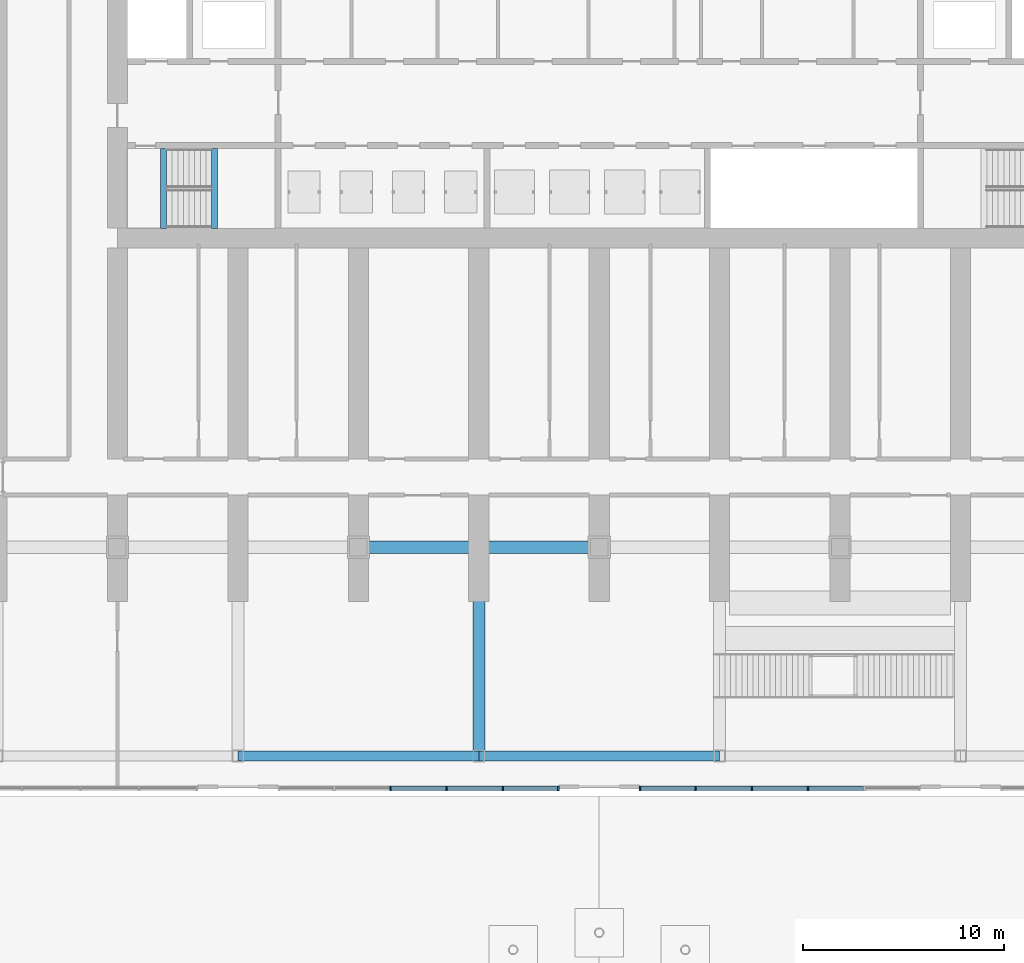
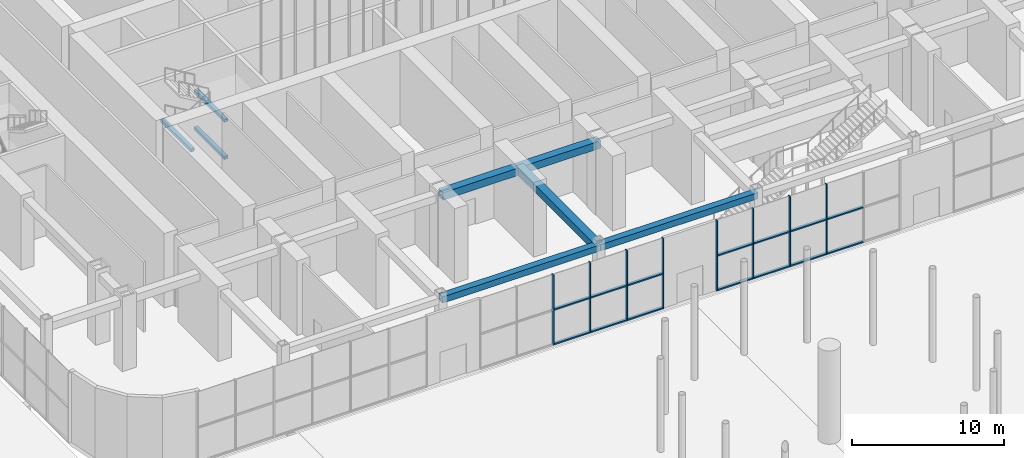
# One storey, part 8 of 57: 22 members, 7 beams, 2 elements without a shape of their own.
"""IFC4 building model written with IfcOpenShell, lengths in metres."""

from ifc_helpers import new_model, si_unit, direction, frame, origin, origin_2d, place, context, subcontext, project, spatial, rectangle, hollow_rectangle, extrude, material, material_profile, profile_set, type_object, element, aggregate, save


model = new_model("IFC4")

# Units and contexts
model_context = context("Model", 3, precision=1e-05, world=origin(), true_north=direction((0.0, 1.0)))
body_context = subcontext(model_context, "Body", "Model", "MODEL_VIEW")
ifc_project = project(units=[si_unit("LENGTHUNIT", "METRE"), si_unit("AREAUNIT", "SQUARE_METRE"), si_unit("VOLUMEUNIT", "CUBIC_METRE"), si_unit("PLANEANGLEUNIT", "RADIAN"), si_unit("MASSUNIT", "GRAM", prefix="KILO")], contexts=[model_context])

# Site, building, storey
site_placement = place(None, origin())
site = spatial("IfcSite", under=ifc_project, at=site_placement, CompositionType="ELEMENT")
building_placement = place(site_placement, origin())
building = spatial("IfcBuilding", under=site, at=building_placement, Name="Orbita Commons", CompositionType="ELEMENT")
storey_placement = place(building_placement, origin())
storey = spatial("IfcBuildingStorey", under=building, at=storey_placement, Name="L00", CompositionType="ELEMENT", Elevation=0.0)

# Curtain wall, members
ifc_material_1 = material(Name="Anodised aluminium frame, pale silver", Category="aluminium")
curtain_wall_type = type_object("IfcCurtainWallType", Name="Lobby curtain wall CW-L", PredefinedType="NOTDEFINED", material=ifc_material_1)
curtain_wall_1_placement = place(storey_placement, origin())
curtain_wall_1 = element("IfcCurtainWall", 1, at=curtain_wall_1_placement, inside=storey, type_object=curtain_wall_type, Name="Curtain wall S 2 L00", PredefinedType="NOTDEFINED")
ifc_material_2 = material(Name="Anodised aluminium, pale silver", Category="aluminium")
ifc_material_profile_1 = material_profile(ifc_material_2, rectangle(XDim=0.080078125, YDim=0.219970703125, at=origin_2d()), Name="AL 80x220")
ifc_profile_set_1 = profile_set([ifc_material_profile_1], Name="Anodised aluminium, pale silver")
member_type_1 = type_object("IfcMemberType", Name="Curtain wall mullion 80x220", PredefinedType="MULLION", material=ifc_profile_set_1)
member_1_placement = place(storey_placement, frame((31.60009765625, -1.610107421875, 0.0), z_axis=(0.0, 0.0, 1.0), x_axis=(1.0, 0.0, 0.0)))
member_1 = element("IfcMember", 2, at=member_1_placement, type_object=member_type_1, Name="Mullion 3 CW-L00-S1", PredefinedType="MULLION", context=body_context, shape_type="SweptSolid", body=[
    extrude(rectangle(XDim=0.080078125, YDim=0.219970703125, at=origin_2d()), origin(), (0.0, 0.0, 1.0), 5.64990234375),
])
member_2_placement = place(storey_placement, frame((34.39990234375, -1.610107421875, 0.0), z_axis=(0.0, 0.0, 1.0), x_axis=(1.0, 0.0, 0.0)))
member_2 = element("IfcMember", 3, at=member_2_placement, type_object=member_type_1, Name="Mullion 4 CW-L00-S1", PredefinedType="MULLION", context=body_context, shape_type="SweptSolid", body=[
    extrude(rectangle(XDim=0.080078125, YDim=0.219970703125, at=origin_2d()), origin(), (0.0, 0.0, 1.0), 5.64990234375),
])
member_3_placement = place(storey_placement, frame((37.199951171875, -1.610107421875, 0.0), z_axis=(0.0, 0.0, 1.0), x_axis=(1.0, 0.0, 0.0)))
member_3 = element("IfcMember", 4, at=member_3_placement, type_object=member_type_1, Name="Mullion 5 CW-L00-S1", PredefinedType="MULLION", context=body_context, shape_type="SweptSolid", body=[
    extrude(rectangle(XDim=0.080078125, YDim=0.219970703125, at=origin_2d()), origin(), (0.0, 0.0, 1.0), 5.64990234375),
])
member_4_placement = place(storey_placement, frame((39.9599609375, -1.610107421875, 0.0), z_axis=(0.0, 0.0, 1.0), x_axis=(1.0, 0.0, 0.0)))
member_4 = element("IfcMember", 5, at=member_4_placement, type_object=member_type_1, Name="Mullion 6 CW-L00-S1", PredefinedType="MULLION", context=body_context, shape_type="SweptSolid", body=[
    extrude(rectangle(XDim=0.080078125, YDim=0.219970703125, at=origin_2d()), origin(), (0.0, 0.0, 1.0), 5.64990234375),
])

curtain_wall_2_placement = place(storey_placement, origin())
curtain_wall_2 = element("IfcCurtainWall", 6, at=curtain_wall_2_placement, inside=storey, type_object=curtain_wall_type, Name="Curtain wall S 3 L00", PredefinedType="NOTDEFINED")
member_5_placement = place(storey_placement, frame((44.0400390625, -1.610107421875, 0.0), z_axis=(0.0, 0.0, 1.0), x_axis=(1.0, 0.0, 0.0)))
member_5 = element("IfcMember", 7, at=member_5_placement, type_object=member_type_1, Name="Mullion 1 CW-L00-S2", PredefinedType="MULLION", context=body_context, shape_type="SweptSolid", body=[
    extrude(rectangle(XDim=0.080078125, YDim=0.219970703125, at=origin_2d()), origin(), (0.0, 0.0, 1.0), 5.64990234375),
])
member_6_placement = place(storey_placement, frame((46.800048828125, -1.610107421875, 0.0), z_axis=(0.0, 0.0, 1.0), x_axis=(1.0, 0.0, 0.0)))
member_6 = element("IfcMember", 8, at=member_6_placement, type_object=member_type_1, Name="Mullion 2 CW-L00-S2", PredefinedType="MULLION", context=body_context, shape_type="SweptSolid", body=[
    extrude(rectangle(XDim=0.080078125, YDim=0.219970703125, at=origin_2d()), origin(), (0.0, 0.0, 1.0), 5.64990234375),
])
member_7_placement = place(storey_placement, frame((49.60009765625, -1.610107421875, 0.0), z_axis=(0.0, 0.0, 1.0), x_axis=(1.0, 0.0, 0.0)))
member_7 = element("IfcMember", 9, at=member_7_placement, type_object=member_type_1, Name="Mullion 3 CW-L00-S2", PredefinedType="MULLION", context=body_context, shape_type="SweptSolid", body=[
    extrude(rectangle(XDim=0.080078125, YDim=0.219970703125, at=origin_2d()), origin(), (0.0, 0.0, 1.0), 5.64990234375),
])
member_8_placement = place(storey_placement, frame((52.39990234375, -1.610107421875, 0.0), z_axis=(0.0, 0.0, 1.0), x_axis=(1.0, 0.0, 0.0)))
member_8 = element("IfcMember", 10, at=member_8_placement, type_object=member_type_1, Name="Mullion 4 CW-L00-S2", PredefinedType="MULLION", context=body_context, shape_type="SweptSolid", body=[
    extrude(rectangle(XDim=0.080078125, YDim=0.219970703125, at=origin_2d()), origin(), (0.0, 0.0, 1.0), 5.64990234375),
])

# Member
ifc_material_3 = material(Name="Anodised aluminium, pale silver", Category="aluminium")
ifc_material_profile_2 = material_profile(ifc_material_3, rectangle(XDim=0.219970703125, YDim=0.10009765625, at=origin_2d()), Name="AL 220x100")
ifc_profile_set_2 = profile_set([ifc_material_profile_2], Name="Anodised aluminium, pale silver")
member_type_2 = type_object("IfcMemberType", Name="Curtain wall stack transom 220x100", PredefinedType="USERDEFINED", material=ifc_profile_set_2)
member_9_placement = place(storey_placement, frame((31.639892578125, -1.610107421875, 0.050048828125), z_axis=(1.0, 0.0, 0.0), x_axis=(0.0, 1.0, 0.0)))
member_9 = element("IfcMember", 11, at=member_9_placement, type_object=member_type_2, Name="Transom 3.1 CW-L00-S1", ObjectType="TRANSOM", PredefinedType="USERDEFINED", context=body_context, shape_type="SweptSolid", body=[
    extrude(rectangle(XDim=0.219970703125, YDim=0.10009765625, at=origin_2d()), origin(), (0.0, 0.0, 1.0), 2.72021484375),
])

member_10_placement = place(storey_placement, frame((31.639892578125, -1.610107421875, 2.824951171875), z_axis=(1.0, 0.0, 0.0), x_axis=(0.0, 1.0, 0.0)))
member_10 = element("IfcMember", 12, at=member_10_placement, type_object=member_type_2, Name="Transom 3.2 CW-L00-S1", ObjectType="TRANSOM", PredefinedType="USERDEFINED", context=body_context, shape_type="SweptSolid", body=[
    extrude(rectangle(XDim=0.219970703125, YDim=0.10009765625, at=origin_2d()), origin(), (0.0, 0.0, 1.0), 2.72021484375),
])

member_11_placement = place(storey_placement, frame((34.43994140625, -1.610107421875, 0.050048828125), z_axis=(1.0, 0.0, 0.0), x_axis=(0.0, 1.0, 0.0)))
member_11 = element("IfcMember", 13, at=member_11_placement, type_object=member_type_2, Name="Transom 4.1 CW-L00-S1", ObjectType="TRANSOM", PredefinedType="USERDEFINED", context=body_context, shape_type="SweptSolid", body=[
    extrude(rectangle(XDim=0.219970703125, YDim=0.10009765625, at=origin_2d()), origin(), (0.0, 0.0, 1.0), 2.719970703125),
])

member_12_placement = place(storey_placement, frame((34.43994140625, -1.610107421875, 2.824951171875), z_axis=(1.0, 0.0, 0.0), x_axis=(0.0, 1.0, 0.0)))
member_12 = element("IfcMember", 14, at=member_12_placement, type_object=member_type_2, Name="Transom 4.2 CW-L00-S1", ObjectType="TRANSOM", PredefinedType="USERDEFINED", context=body_context, shape_type="SweptSolid", body=[
    extrude(rectangle(XDim=0.219970703125, YDim=0.10009765625, at=origin_2d()), origin(), (0.0, 0.0, 1.0), 2.719970703125),
])

member_13_placement = place(storey_placement, frame((37.239990234375, -1.610107421875, 0.050048828125), z_axis=(1.0, 0.0, 0.0), x_axis=(0.0, 1.0, 0.0)))
member_13 = element("IfcMember", 15, at=member_13_placement, type_object=member_type_2, Name="Transom 5.1 CW-L00-S1", ObjectType="TRANSOM", PredefinedType="USERDEFINED", context=body_context, shape_type="SweptSolid", body=[
    extrude(rectangle(XDim=0.219970703125, YDim=0.10009765625, at=origin_2d()), origin(), (0.0, 0.0, 1.0), 2.679931640625),
])

member_14_placement = place(storey_placement, frame((37.239990234375, -1.610107421875, 2.824951171875), z_axis=(1.0, 0.0, 0.0), x_axis=(0.0, 1.0, 0.0)))
member_14 = element("IfcMember", 16, at=member_14_placement, type_object=member_type_2, Name="Transom 5.2 CW-L00-S1", ObjectType="TRANSOM", PredefinedType="USERDEFINED", context=body_context, shape_type="SweptSolid", body=[
    extrude(rectangle(XDim=0.219970703125, YDim=0.10009765625, at=origin_2d()), origin(), (0.0, 0.0, 1.0), 2.679931640625),
])

aggregate(curtain_wall_1, [member_1, member_2, member_3, member_4, member_9, member_10, member_11, member_12, member_13, member_14])

member_15_placement = place(storey_placement, frame((44.080078125, -1.610107421875, 0.050048828125), z_axis=(1.0, 0.0, 0.0), x_axis=(0.0, 1.0, 0.0)))
member_15 = element("IfcMember", 17, at=member_15_placement, type_object=member_type_2, Name="Transom 1.1 CW-L00-S2", ObjectType="TRANSOM", PredefinedType="USERDEFINED", context=body_context, shape_type="SweptSolid", body=[
    extrude(rectangle(XDim=0.219970703125, YDim=0.10009765625, at=origin_2d()), origin(), (0.0, 0.0, 1.0), 2.679931640625),
])

member_16_placement = place(storey_placement, frame((44.080078125, -1.610107421875, 2.824951171875), z_axis=(1.0, 0.0, 0.0), x_axis=(0.0, 1.0, 0.0)))
member_16 = element("IfcMember", 18, at=member_16_placement, type_object=member_type_2, Name="Transom 1.2 CW-L00-S2", ObjectType="TRANSOM", PredefinedType="USERDEFINED", context=body_context, shape_type="SweptSolid", body=[
    extrude(rectangle(XDim=0.219970703125, YDim=0.10009765625, at=origin_2d()), origin(), (0.0, 0.0, 1.0), 2.679931640625),
])

member_17_placement = place(storey_placement, frame((46.840087890625, -1.610107421875, 0.050048828125), z_axis=(1.0, 0.0, 0.0), x_axis=(0.0, 1.0, 0.0)))
member_17 = element("IfcMember", 19, at=member_17_placement, type_object=member_type_2, Name="Transom 2.1 CW-L00-S2", ObjectType="TRANSOM", PredefinedType="USERDEFINED", context=body_context, shape_type="SweptSolid", body=[
    extrude(rectangle(XDim=0.219970703125, YDim=0.10009765625, at=origin_2d()), origin(), (0.0, 0.0, 1.0), 2.719970703125),
])

member_18_placement = place(storey_placement, frame((46.840087890625, -1.610107421875, 2.824951171875), z_axis=(1.0, 0.0, 0.0), x_axis=(0.0, 1.0, 0.0)))
member_18 = element("IfcMember", 20, at=member_18_placement, type_object=member_type_2, Name="Transom 2.2 CW-L00-S2", ObjectType="TRANSOM", PredefinedType="USERDEFINED", context=body_context, shape_type="SweptSolid", body=[
    extrude(rectangle(XDim=0.219970703125, YDim=0.10009765625, at=origin_2d()), origin(), (0.0, 0.0, 1.0), 2.719970703125),
])

member_19_placement = place(storey_placement, frame((49.639892578125, -1.610107421875, 0.050048828125), z_axis=(1.0, 0.0, 0.0), x_axis=(0.0, 1.0, 0.0)))
member_19 = element("IfcMember", 21, at=member_19_placement, type_object=member_type_2, Name="Transom 3.1 CW-L00-S2", ObjectType="TRANSOM", PredefinedType="USERDEFINED", context=body_context, shape_type="SweptSolid", body=[
    extrude(rectangle(XDim=0.219970703125, YDim=0.10009765625, at=origin_2d()), origin(), (0.0, 0.0, 1.0), 2.72021484375),
])

member_20_placement = place(storey_placement, frame((49.639892578125, -1.610107421875, 2.824951171875), z_axis=(1.0, 0.0, 0.0), x_axis=(0.0, 1.0, 0.0)))
member_20 = element("IfcMember", 22, at=member_20_placement, type_object=member_type_2, Name="Transom 3.2 CW-L00-S2", ObjectType="TRANSOM", PredefinedType="USERDEFINED", context=body_context, shape_type="SweptSolid", body=[
    extrude(rectangle(XDim=0.219970703125, YDim=0.10009765625, at=origin_2d()), origin(), (0.0, 0.0, 1.0), 2.72021484375),
])

member_21_placement = place(storey_placement, frame((52.43994140625, -1.610107421875, 0.050048828125), z_axis=(1.0, 0.0, 0.0), x_axis=(0.0, 1.0, 0.0)))
member_21 = element("IfcMember", 23, at=member_21_placement, type_object=member_type_2, Name="Transom 4.1 CW-L00-S2", ObjectType="TRANSOM", PredefinedType="USERDEFINED", context=body_context, shape_type="SweptSolid", body=[
    extrude(rectangle(XDim=0.219970703125, YDim=0.10009765625, at=origin_2d()), origin(), (0.0, 0.0, 1.0), 2.719970703125),
])

member_22_placement = place(storey_placement, frame((52.43994140625, -1.610107421875, 2.824951171875), z_axis=(1.0, 0.0, 0.0), x_axis=(0.0, 1.0, 0.0)))
member_22 = element("IfcMember", 24, at=member_22_placement, type_object=member_type_2, Name="Transom 4.2 CW-L00-S2", ObjectType="TRANSOM", PredefinedType="USERDEFINED", context=body_context, shape_type="SweptSolid", body=[
    extrude(rectangle(XDim=0.219970703125, YDim=0.10009765625, at=origin_2d()), origin(), (0.0, 0.0, 1.0), 2.719970703125),
])

aggregate(curtain_wall_2, [member_5, member_6, member_7, member_8, member_15, member_16, member_17, member_18, member_19, member_20, member_21, member_22])

# Beams
ifc_material_4 = material(Name="Steel ASTM A572 Gr 50 welded plate", Category="steel")
ifc_material_profile_3 = material_profile(ifc_material_4, hollow_rectangle(XDim=0.300048828125, YDim=0.25, WallThickness=0.02490234375, at=origin_2d()), Name="BOX 250x300x25")
ifc_profile_set_3 = profile_set([ifc_material_profile_3], Name="Steel ASTM A572 Gr 50 welded plate")
beam_type_1 = type_object("IfcBeamType", Name="Stair landing beam steel BOX 250x300x25", PredefinedType="BEAM", material=ifc_profile_set_3)
for number, where, z_axis, x_axis, name in (
    (25, (22.840087890625, 26.284912109375, 1.175048828125), (0.0, 1.0, 0.0), (-1.0, 0.0, 0.0), "Stair S1 landing beam L00 1"),
    (26, (20.300048828125, 26.284912109375, 2.675048828125), (0.0, 1.0, 0.0), (-1.0, 0.0, 0.0), "Stair S1 landing beam L00 2"),
    (27, (22.840087890625, 26.284912109375, 4.175048828125), (0.0, 1.0, 0.0), (-1.0, 0.0, 0.0), "Stair S1 landing beam L00 3"),
):
    element("IfcBeam", number, at=place(storey_placement, frame(where, z_axis=z_axis, x_axis=x_axis)), inside=storey, type_object=beam_type_1, Name=name, PredefinedType="BEAM", context=body_context, shape_type="SweptSolid", body=[
        extrude(hollow_rectangle(XDim=0.300048828125, YDim=0.25, WallThickness=0.02490234375, at=origin_2d()), origin(), (0.0, 0.0, 1.0), 3.97998046875),
    ])
ifc_material_5 = material(Name="Steel ASTM A572 Gr 50 welded plate", Category="steel")
ifc_material_profile_4 = material_profile(ifc_material_5, hollow_rectangle(XDim=0.5, YDim=0.5, WallThickness=0.050048828125, at=origin_2d()), Name="BOX 500x500x50")
ifc_profile_set_4 = profile_set([ifc_material_profile_4], Name="Steel ASTM A572 Gr 50 welded plate")
beam_type_2 = type_object("IfcBeamType", Name="Steel edge beam BOX 500x500x50", PredefinedType="SPANDREL", material=ifc_profile_set_4)
for number, where, z_axis, x_axis, name in (
    (28, (24.0, 0.0, 5.39990234375), (1.0, 0.0, 0.0), (0.0, 1.0, 0.0), "Edge beam A 5-7 L00"),
    (29, (36.0, 0.0, 5.39990234375), (1.0, 0.0, 0.0), (0.0, 1.0, 0.0), "Edge beam A 7-9 L00"),
):
    element("IfcBeam", number, at=place(storey_placement, frame(where, z_axis=z_axis, x_axis=x_axis)), inside=storey, type_object=beam_type_2, Name=name, PredefinedType="SPANDREL", context=body_context, shape_type="SweptSolid", body=[
        extrude(hollow_rectangle(XDim=0.5, YDim=0.5, WallThickness=0.050048828125, at=origin_2d()), origin(), (0.0, 0.0, 1.0), 12.0),
    ])
ifc_material_6 = material(Name="Steel ASTM A572 Gr 50 welded plate", Category="steel")
ifc_material_profile_5 = material_profile(ifc_material_6, hollow_rectangle(XDim=0.60009765625, YDim=0.60009765625, WallThickness=0.06005859375, at=origin_2d()), Name="BOX 600x600x60")
ifc_profile_set_5 = profile_set([ifc_material_profile_5], Name="Steel ASTM A572 Gr 50 welded plate")
beam_type_3 = type_object("IfcBeamType", Name="Steel podium beam BOX 600x600x60", PredefinedType="BEAM", material=ifc_profile_set_5)
beam_1_placement = place(storey_placement, frame((30.0, 10.39990234375, 5.35009765625), z_axis=(1.0, 0.0, 0.0), x_axis=(0.0, 1.0, 0.0)))
element("IfcBeam", 30, at=beam_1_placement, inside=storey, type_object=beam_type_3, Name="Podium beam B 6-8 L00", PredefinedType="BEAM", context=body_context, shape_type="SweptSolid", body=[
    extrude(hollow_rectangle(XDim=0.60009765625, YDim=0.60009765625, WallThickness=0.06005859375, at=origin_2d()), origin(), (0.0, 0.0, 1.0), 12.0),
])
beam_2_placement = place(storey_placement, frame((36.0, 0.0, 5.35009765625), z_axis=(0.0, 1.0, 0.0), x_axis=(-1.0, 0.0, 0.0)))
element("IfcBeam", 31, at=beam_2_placement, inside=storey, type_object=beam_type_3, Name="Podium beam 7 A-B L00", PredefinedType="BEAM", context=body_context, shape_type="SweptSolid", body=[
    extrude(hollow_rectangle(XDim=0.60009765625, YDim=0.60009765625, WallThickness=0.06005859375, at=origin_2d()), origin(), (0.0, 0.0, 1.0), 10.39990234375),
])

save(model, "model.ifc")
